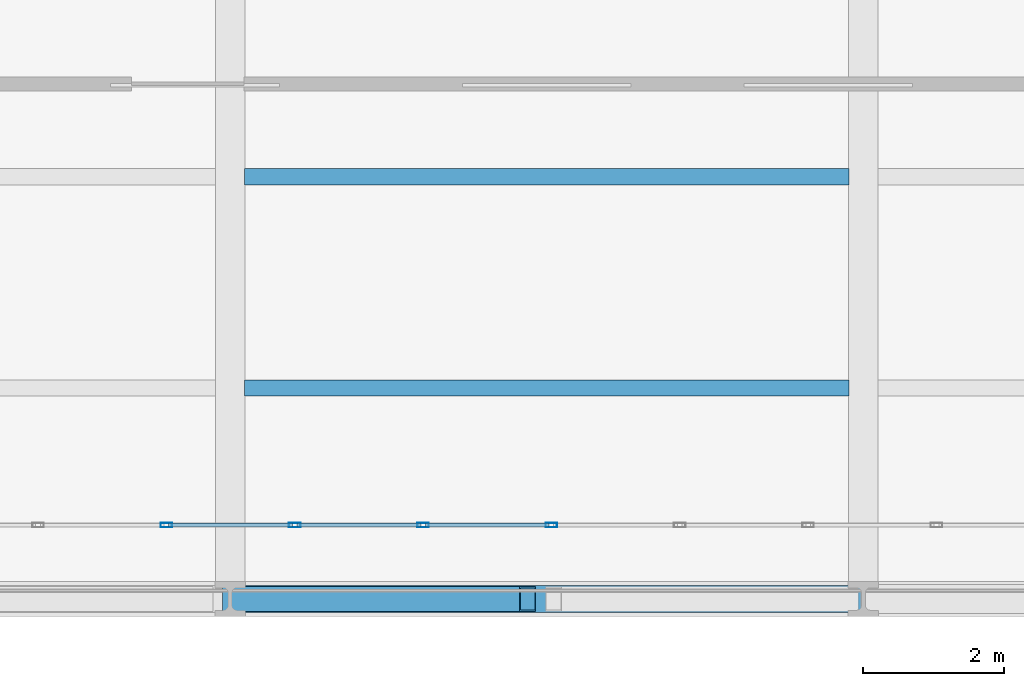
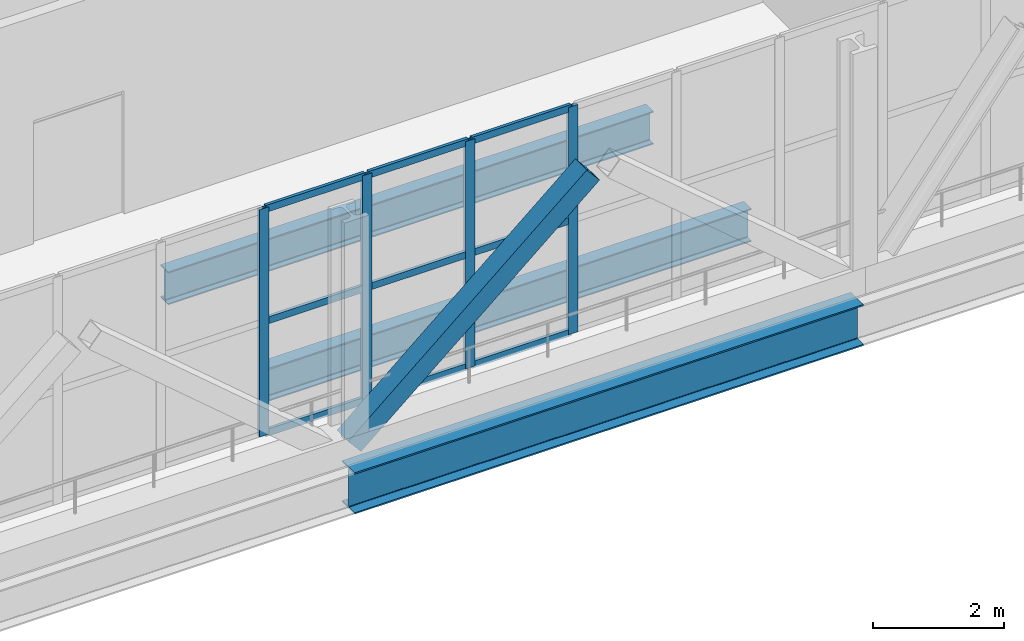
# One storey, part 4 of 27: 14 members, 3 beams, 1 element without a shape of its own.
"""IFC4 building model written with IfcOpenShell, lengths in metres."""

from ifc_helpers import new_model, si_unit, direction, frame, origin, origin_2d, place, context, subcontext, project, spatial, hollow_rectangle, i_section, extrude, material, layer, layer_set, material_profile, profile_set, type_object, element, aggregate, save


model = new_model("IFC4")

# Units and contexts
model_context = context("Model", 3, precision=1e-05, world=origin(), true_north=direction((0.0, 1.0)))
body_context = subcontext(model_context, "Body", "Model", "MODEL_VIEW")
ifc_project = project(units=[si_unit("LENGTHUNIT", "METRE"), si_unit("AREAUNIT", "SQUARE_METRE"), si_unit("VOLUMEUNIT", "CUBIC_METRE"), si_unit("PLANEANGLEUNIT", "RADIAN"), si_unit("MASSUNIT", "GRAM", prefix="KILO")], contexts=[model_context])

# Site, building, storey
site_placement = place(None, origin())
site = spatial("IfcSite", under=ifc_project, at=site_placement, CompositionType="ELEMENT")
building_placement = place(site_placement, origin())
building = spatial("IfcBuilding", under=site, at=building_placement, Name="Mawjdan Bourse Tower", CompositionType="ELEMENT")
storey_placement = place(building_placement, frame((0.0, 0.0, 84.60009765625)))
storey = spatial("IfcBuildingStorey", under=building, at=storey_placement, Name="L19", CompositionType="ELEMENT", Elevation=84.60009765625)

# Member
ifc_material_1 = material(Name="Structural Steel S460", Category="steel")
ifc_material_profile_1 = material_profile(ifc_material_1, hollow_rectangle(XDim=0.35009765625, YDim=0.35009765625, WallThickness=0.01611328125, at=origin_2d()), Name="HSS350X350X16")
ifc_profile_set_1 = profile_set([ifc_material_profile_1], Name="Structural Steel S460")
member_type_1 = type_object("IfcMemberType", Name="BRC-HSS350X350X16", PredefinedType="BRACE", material=ifc_profile_set_1)
member_1_placement = place(storey_placement, frame((33.008544921875, 3.0, 0.199951171875), z_axis=(0.760829478047, 0.0, 0.648951851322), x_axis=(0.0, 1.0, 0.0)))
element("IfcMember", 1, at=member_1_placement, inside=storey, type_object=member_type_1, Name="L19 East Outrigger Truss 1 Diagonal 3", PredefinedType="BRACE", context=body_context, shape_type="SweptSolid", body=[
    extrude(hollow_rectangle(XDim=0.35009765625, YDim=0.35009765625, WallThickness=0.01611328125, at=origin_2d()), origin(), (0.0, 0.0, 1.0), 5.547119140625),
])

# Beams
ifc_material_2 = material(Name="Structural Steel S355", Category="steel")
ifc_material_profile_2 = material_profile(ifc_material_2, i_section(OverallWidth=0.22998046875, OverallDepth=0.616943359375, WebThickness=0.01318359375, FlangeThickness=0.022216796875, FilletRadius=0.017822265625, at=origin_2d()), Name="W24X94")
ifc_profile_set_2 = profile_set([ifc_material_profile_2], Name="Structural Steel S355")
beam_type_1 = type_object("IfcBeamType", Name="JST-W24X94", PredefinedType="JOIST", material=ifc_profile_set_2)
for number, where, z_axis, x_axis, name in (
    (2, (33.20703125, 6.0, -0.588623046875), (1.0, 0.0, 0.0), (0.0, 1.0, 0.0), "L19 East Wing Composite Joist 024"),
    (3, (33.20703125, 9.0, -0.588623046875), (1.0, 0.0, 0.0), (0.0, 1.0, 0.0), "L19 East Wing Composite Joist 031"),
):
    element("IfcBeam", number, at=place(storey_placement, frame(where, z_axis=z_axis, x_axis=x_axis)), inside=storey, type_object=beam_type_1, Name=name, PredefinedType="JOIST", context=body_context, shape_type="SweptSolid", body=[
        extrude(i_section(OverallWidth=0.22998046875, OverallDepth=0.616943359375, WebThickness=0.01318359375, FlangeThickness=0.022216796875, FilletRadius=0.017822265625, at=origin_2d()), origin(), (0.0, 0.0, 1.0), 8.5859375),
    ])

# Curtain wall, members
ifc_material_3 = material(Name="Thermally Broken Aluminium and Solar Glass", Category="aluminium")
ifc_layer = layer(ifc_material_3, 0.219970703125)
ifc_layer_set = layer_set([ifc_layer], Name="Thermally Broken Aluminium and Solar Glass")
curtain_wall_type = type_object("IfcCurtainWallType", Name="CW-RFG", PredefinedType="USERDEFINED", material=ifc_layer_set)
curtain_wall_placement = place(storey_placement, origin())
curtain_wall = element("IfcCurtainWall", 4, at=curtain_wall_placement, inside=storey, type_object=curtain_wall_type, Name="L19 Refuge Band South Louvre Curtain Wall", ObjectType="REFUGE BAND LOUVRE SCREEN", PredefinedType="USERDEFINED")
ifc_material_4 = material(Name="Thermally Broken Anodised Aluminium", Category="aluminium")
ifc_material_profile_3 = material_profile(ifc_material_4, hollow_rectangle(XDim=0.06494140625, YDim=0.1650390625, WallThickness=0.00390625, at=origin_2d()), Name="ALU-MUL-165X65")
ifc_profile_set_3 = profile_set([ifc_material_profile_3], Name="Thermally Broken Anodised Aluminium")
member_type_2 = type_object("IfcMemberType", Name="MUL-ALU-MUL-165X65", PredefinedType="MULLION", material=ifc_profile_set_3)
member_2_placement = place(storey_placement, frame((32.09521484375, 4.050048828125, 0.0), z_axis=(0.0, 0.0, 1.0), x_axis=(0.0, 1.0, 0.0)))
member_2 = element("IfcMember", 5, at=member_2_placement, type_object=member_type_2, Name="CW-RFG-L19-RFG-S mullion 5", PredefinedType="MULLION", context=body_context, shape_type="SweptSolid", body=[
    extrude(hollow_rectangle(XDim=0.06494140625, YDim=0.1650390625, WallThickness=0.00390625, at=origin_2d()), origin(), (0.0, 0.0, 1.0), 4.25),
])
member_3_placement = place(storey_placement, frame((33.9189453125, 4.050048828125, 0.0), z_axis=(0.0, 0.0, 1.0), x_axis=(0.0, 1.0, 0.0)))
member_3 = element("IfcMember", 6, at=member_3_placement, type_object=member_type_2, Name="CW-RFG-L19-RFG-S mullion 6", PredefinedType="MULLION", context=body_context, shape_type="SweptSolid", body=[
    extrude(hollow_rectangle(XDim=0.06494140625, YDim=0.1650390625, WallThickness=0.00390625, at=origin_2d()), origin(), (0.0, 0.0, 1.0), 4.25),
])
member_4_placement = place(storey_placement, frame((35.742919921875, 4.050048828125, 0.0), z_axis=(0.0, 0.0, 1.0), x_axis=(0.0, 1.0, 0.0)))
member_4 = element("IfcMember", 7, at=member_4_placement, type_object=member_type_2, Name="CW-RFG-L19-RFG-S mullion 7", PredefinedType="MULLION", context=body_context, shape_type="SweptSolid", body=[
    extrude(hollow_rectangle(XDim=0.06494140625, YDim=0.1650390625, WallThickness=0.00390625, at=origin_2d()), origin(), (0.0, 0.0, 1.0), 4.25),
])
member_5_placement = place(storey_placement, frame((37.566650390625, 4.050048828125, 0.0), z_axis=(0.0, 0.0, 1.0), x_axis=(0.0, 1.0, 0.0)))
member_5 = element("IfcMember", 8, at=member_5_placement, type_object=member_type_2, Name="CW-RFG-L19-RFG-S mullion 8", PredefinedType="MULLION", context=body_context, shape_type="SweptSolid", body=[
    extrude(hollow_rectangle(XDim=0.06494140625, YDim=0.1650390625, WallThickness=0.00390625, at=origin_2d()), origin(), (0.0, 0.0, 1.0), 4.25),
])

# Beam
ifc_material_profile_4 = material_profile(ifc_material_2, i_section(OverallWidth=0.381103515625, OverallDepth=0.77294921875, WebThickness=0.0166015625, FlangeThickness=0.027099609375, FilletRadius=0.021728515625, at=origin_2d()), Name="W30X173")
ifc_profile_set_4 = profile_set([ifc_material_profile_4], Name="Structural Steel S355")
beam_type_2 = type_object("IfcBeamType", Name="SPN-W30X173", PredefinedType="SPANDREL", material=ifc_profile_set_4)
beam_placement = place(storey_placement, frame((33.0, 3.0, -0.66650390625), z_axis=(1.0, 0.0, 0.0), x_axis=(0.0, 1.0, 0.0)))
element("IfcBeam", 9, at=beam_placement, inside=storey, type_object=beam_type_2, Name="L19 Perimeter Masonry-Shelf Spandrel 010", PredefinedType="SPANDREL", context=body_context, shape_type="SweptSolid", body=[
    extrude(i_section(OverallWidth=0.381103515625, OverallDepth=0.77294921875, WebThickness=0.0166015625, FlangeThickness=0.027099609375, FilletRadius=0.021728515625, at=origin_2d()), origin(), (0.0, 0.0, 1.0), 9.0),
])

# Member
ifc_material_profile_5 = material_profile(ifc_material_4, hollow_rectangle(XDim=0.054931640625, YDim=0.1298828125, WallThickness=0.00341796875, at=origin_2d()), Name="ALU-TRN-130X55")
ifc_profile_set_5 = profile_set([ifc_material_profile_5], Name="Thermally Broken Anodised Aluminium")
member_type_3 = type_object("IfcMemberType", Name="TRN-ALU-TRN-130X55", PredefinedType="USERDEFINED", material=ifc_profile_set_5)
member_6_placement = place(storey_placement, frame((32.127685546875, 4.050048828125, 0.02734375), z_axis=(1.0, 0.0, 0.0), x_axis=(0.0, 1.0, 0.0)))
member_6 = element("IfcMember", 10, at=member_6_placement, type_object=member_type_3, Name="CW-RFG-L19-RFG-S transom 5.1", ObjectType="TRANSOM", PredefinedType="USERDEFINED", context=body_context, shape_type="SweptSolid", body=[
    extrude(hollow_rectangle(XDim=0.054931640625, YDim=0.1298828125, WallThickness=0.00341796875, at=origin_2d()), origin(), (0.0, 0.0, 1.0), 1.7587890625),
])

member_7_placement = place(storey_placement, frame((32.127685546875, 4.050048828125, 2.125), z_axis=(1.0, 0.0, 0.0), x_axis=(0.0, 1.0, 0.0)))
member_7 = element("IfcMember", 11, at=member_7_placement, type_object=member_type_3, Name="CW-RFG-L19-RFG-S transom 5.2", ObjectType="TRANSOM", PredefinedType="USERDEFINED", context=body_context, shape_type="SweptSolid", body=[
    extrude(hollow_rectangle(XDim=0.054931640625, YDim=0.1298828125, WallThickness=0.00341796875, at=origin_2d()), origin(), (0.0, 0.0, 1.0), 1.7587890625),
])

member_8_placement = place(storey_placement, frame((32.127685546875, 4.050048828125, 4.222412109375), z_axis=(1.0, 0.0, 0.0), x_axis=(0.0, 1.0, 0.0)))
member_8 = element("IfcMember", 12, at=member_8_placement, type_object=member_type_3, Name="CW-RFG-L19-RFG-S transom 5.3", ObjectType="TRANSOM", PredefinedType="USERDEFINED", context=body_context, shape_type="SweptSolid", body=[
    extrude(hollow_rectangle(XDim=0.054931640625, YDim=0.1298828125, WallThickness=0.00341796875, at=origin_2d()), origin(), (0.0, 0.0, 1.0), 1.7587890625),
])

member_9_placement = place(storey_placement, frame((33.95166015625, 4.050048828125, 0.02734375), z_axis=(1.0, 0.0, 0.0), x_axis=(0.0, 1.0, 0.0)))
member_9 = element("IfcMember", 13, at=member_9_placement, type_object=member_type_3, Name="CW-RFG-L19-RFG-S transom 6.1", ObjectType="TRANSOM", PredefinedType="USERDEFINED", context=body_context, shape_type="SweptSolid", body=[
    extrude(hollow_rectangle(XDim=0.054931640625, YDim=0.1298828125, WallThickness=0.00341796875, at=origin_2d()), origin(), (0.0, 0.0, 1.0), 1.7587890625),
])

member_10_placement = place(storey_placement, frame((33.95166015625, 4.050048828125, 2.125), z_axis=(1.0, 0.0, 0.0), x_axis=(0.0, 1.0, 0.0)))
member_10 = element("IfcMember", 14, at=member_10_placement, type_object=member_type_3, Name="CW-RFG-L19-RFG-S transom 6.2", ObjectType="TRANSOM", PredefinedType="USERDEFINED", context=body_context, shape_type="SweptSolid", body=[
    extrude(hollow_rectangle(XDim=0.054931640625, YDim=0.1298828125, WallThickness=0.00341796875, at=origin_2d()), origin(), (0.0, 0.0, 1.0), 1.7587890625),
])

member_11_placement = place(storey_placement, frame((33.95166015625, 4.050048828125, 4.222412109375), z_axis=(1.0, 0.0, 0.0), x_axis=(0.0, 1.0, 0.0)))
member_11 = element("IfcMember", 15, at=member_11_placement, type_object=member_type_3, Name="CW-RFG-L19-RFG-S transom 6.3", ObjectType="TRANSOM", PredefinedType="USERDEFINED", context=body_context, shape_type="SweptSolid", body=[
    extrude(hollow_rectangle(XDim=0.054931640625, YDim=0.1298828125, WallThickness=0.00341796875, at=origin_2d()), origin(), (0.0, 0.0, 1.0), 1.7587890625),
])

member_12_placement = place(storey_placement, frame((35.775390625, 4.050048828125, 0.02734375), z_axis=(1.0, 0.0, 0.0), x_axis=(0.0, 1.0, 0.0)))
member_12 = element("IfcMember", 16, at=member_12_placement, type_object=member_type_3, Name="CW-RFG-L19-RFG-S transom 7.1", ObjectType="TRANSOM", PredefinedType="USERDEFINED", context=body_context, shape_type="SweptSolid", body=[
    extrude(hollow_rectangle(XDim=0.054931640625, YDim=0.1298828125, WallThickness=0.00341796875, at=origin_2d()), origin(), (0.0, 0.0, 1.0), 1.7587890625),
])

member_13_placement = place(storey_placement, frame((35.775390625, 4.050048828125, 2.125), z_axis=(1.0, 0.0, 0.0), x_axis=(0.0, 1.0, 0.0)))
member_13 = element("IfcMember", 17, at=member_13_placement, type_object=member_type_3, Name="CW-RFG-L19-RFG-S transom 7.2", ObjectType="TRANSOM", PredefinedType="USERDEFINED", context=body_context, shape_type="SweptSolid", body=[
    extrude(hollow_rectangle(XDim=0.054931640625, YDim=0.1298828125, WallThickness=0.00341796875, at=origin_2d()), origin(), (0.0, 0.0, 1.0), 1.7587890625),
])

member_14_placement = place(storey_placement, frame((35.775390625, 4.050048828125, 4.222412109375), z_axis=(1.0, 0.0, 0.0), x_axis=(0.0, 1.0, 0.0)))
member_14 = element("IfcMember", 18, at=member_14_placement, type_object=member_type_3, Name="CW-RFG-L19-RFG-S transom 7.3", ObjectType="TRANSOM", PredefinedType="USERDEFINED", context=body_context, shape_type="SweptSolid", body=[
    extrude(hollow_rectangle(XDim=0.054931640625, YDim=0.1298828125, WallThickness=0.00341796875, at=origin_2d()), origin(), (0.0, 0.0, 1.0), 1.7587890625),
])

aggregate(curtain_wall, [member_2, member_3, member_4, member_5, member_6, member_7, member_8, member_9, member_10, member_11, member_12, member_13, member_14])

save(model, "model.ifc")
